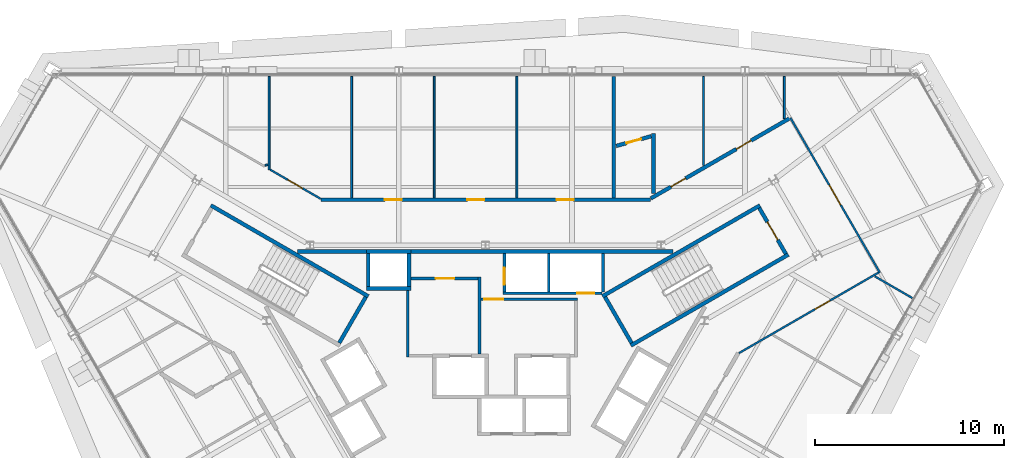
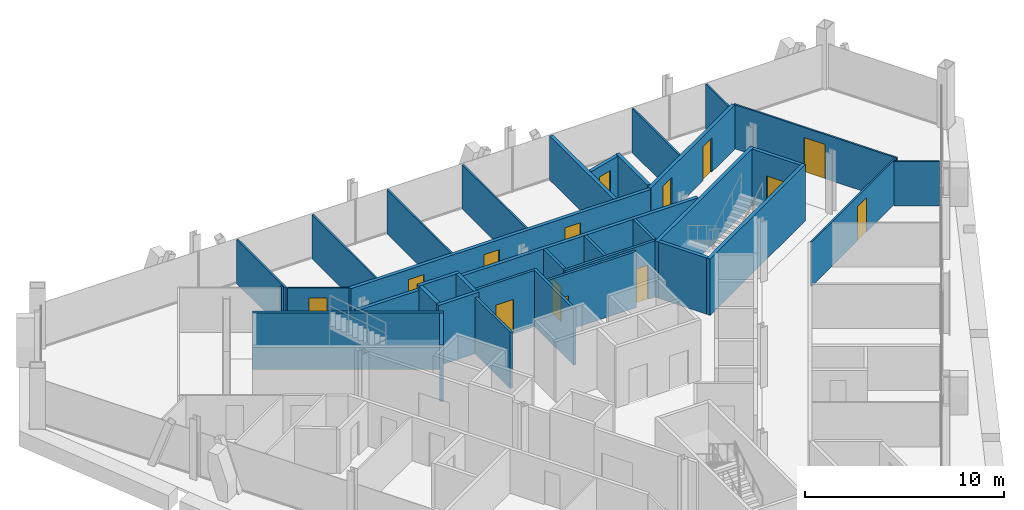
# One storey, part 12 of 15: 36 walls, 14 doors, 14 openings.
"""IFC4 building model written with IfcOpenShell, lengths in metres."""

from ifc_helpers import new_model, si_unit, direction, frame, frame_2d, origin, place, context, subcontext, project, spatial, rectangle, extrude, material, layer, layer_set, type_object, element, fill, save


model = new_model("IFC4")

# Units and contexts
model_context = context("Model", 3, precision=1e-05, world=origin(), true_north=direction((0.0, 1.0)))
body_context = subcontext(model_context, "Body", "Model", "MODEL_VIEW")
ifc_project = project(units=[si_unit("LENGTHUNIT", "METRE"), si_unit("AREAUNIT", "SQUARE_METRE"), si_unit("VOLUMEUNIT", "CUBIC_METRE"), si_unit("PLANEANGLEUNIT", "RADIAN"), si_unit("MASSUNIT", "GRAM", prefix="KILO")], contexts=[model_context])

# Site, building, storey
site_placement = place(None, origin())
site = spatial("IfcSite", under=ifc_project, at=site_placement, CompositionType="ELEMENT")
building_placement = place(site_placement, origin())
building = spatial("IfcBuilding", under=site, at=building_placement, Name="Verrane Prism Tower", CompositionType="ELEMENT")
storey_placement = place(building_placement, frame((0.0, 0.0, 250.800048828125)))
storey = spatial("IfcBuildingStorey", under=building, at=storey_placement, Name="L63", CompositionType="ELEMENT", Elevation=250.800048828125)

# Walls
ifc_material_1 = material(Name="Gypsum board partition", Category="other")
ifc_layer_1 = layer(ifc_material_1, 0.199951171875)
ifc_layer_set_1 = layer_set([ifc_layer_1], Name="CW-200 core boundary wall 2 h")
wall_type_1 = type_object("IfcWallType", Name="CW-200 core boundary wall 2 h", PredefinedType="PARTITIONING", material=ifc_layer_set_1)
wall_1_placement = place(storey_placement, frame((-9.907958984375, 7.659912109375, 0.0), z_axis=(0.0, 0.0, 1.0), x_axis=(1.0, 0.0, 0.0)))
element("IfcWall", 1, at=wall_1_placement, inside=storey, type_object=wall_type_1, Name="Core boundary wall CW3-002", PredefinedType="PARTITIONING", context=body_context, shape_type="SweptSolid", body=[
    extrude(rectangle(XDim=3.620849609375, YDim=0.199951171875, at=frame_2d((1.810546875, 0.0))), origin(), (0.0, 0.0, 1.0), 3.449951171875),
])
wall_2_placement = place(storey_placement, frame((-3.93310546875, 7.659912109375, 0.0), z_axis=(0.0, 0.0, 1.0), x_axis=(1.0, 0.0, 0.0)))
element("IfcWall", 2, at=wall_2_placement, inside=storey, type_object=wall_type_1, Name="Core boundary wall CW3-005", PredefinedType="PARTITIONING", context=body_context, shape_type="SweptSolid", body=[
    extrude(rectangle(XDim=13.841064453125, YDim=0.199951171875, at=frame_2d((6.92041015625, 0.0))), origin(), (0.0, 0.0, 1.0), 3.449951171875),
])

# Wall, opening, door
ifc_material_2 = material(Name="Concrete C40/50", Category="concrete")
ifc_layer_2 = layer(ifc_material_2, 0.199951171875)
ifc_layer_set_2 = layer_set([ifc_layer_2], Name="CW-200 stair core wall concrete C40/50 3 h")
wall_type_2 = type_object("IfcWallType", Name="CW-200 stair core wall concrete C40/50 3 h", PredefinedType="PARTITIONING", material=ifc_layer_set_2)
wall_3_placement = place(storey_placement, frame((15.85546875, 7.53759765625, 0.0), z_axis=(0.0, 0.0, 1.0), x_axis=(-0.500049511043, 0.865996816683, 0.0)))
wall_3 = element("IfcWall", 3, at=wall_3_placement, inside=storey, type_object=wall_type_2, Name="Stair 1 enclosure wall", PredefinedType="PARTITIONING", context=body_context, shape_type="SweptSolid", body=[
    extrude(rectangle(XDim=2.800048828125, YDim=0.199951171875, at=frame_2d((1.39990234375, 0.0))), origin(), (0.0, 0.0, 1.0), 3.449951171875),
])
opening_1_placement = place(wall_3_placement, frame((0.849853515625, 0.0, 0.0)))
opening_1 = element("IfcOpeningElement", 4, at=opening_1_placement, cuts=wall_3, Name="Opening D62500", PredefinedType="OPENING", context=body_context, shape_type="SweptSolid", body=[
    extrude(rectangle(XDim=1.10009765625, YDim=2.10009765625, at=frame_2d((0.550048828125, 1.050048828125))), frame((0.0, 0.10986328125, 0.0), z_axis=(0.0, -1.0, 0.0), x_axis=(1.0, 0.0, 0.0)), (0.0, 0.0, 1.0), 0.219970703125),
])
ifc_material_3 = material(Name="Timber veneered door leaf", Category="wood")
door_type_1 = type_object("IfcDoorType", Name="DR-1100x2100 FD90 single leaf stair", OperationType="NOTDEFINED", PredefinedType="DOOR", material=ifc_material_3)
door_1_placement = place(opening_1_placement, origin())
door_1 = element("IfcDoor", 5, at=door_1_placement, inside=storey, type_object=door_type_1, Name="Stair 1 door", OperationType="SINGLE_SWING_LEFT", OverallHeight=2.10009765625, OverallWidth=1.10009765625, PredefinedType="DOOR", context=body_context, shape_type="SweptSolid", body=[
    extrude(rectangle(XDim=1.10009765625, YDim=2.10009765625, at=frame_2d((0.550048828125, 1.050048828125))), frame((0.0, 0.02490234375, 0.0), z_axis=(0.0, -1.0, 0.0), x_axis=(1.0, 0.0, 0.0)), (0.0, 0.0, 1.0), 0.050048828125),
])
fill(opening_1, door_1)

# Walls
for number, where, z_axis, x_axis, name in (
    (6, (6.17822265625, 5.299072265625, 0.0), (0.0, 0.0, 1.0), (0.866019993635, 0.500009370536, 0.0), "Stair 1 enclosure wall"),
    (7, (7.67822265625, 2.700927734375, 0.0), (0.0, 0.0, 1.0), (0.866019993635, 0.500009370536, 0.0), "Stair 1 enclosure wall"),
):
    element("IfcWall", number, at=place(storey_placement, frame(where, z_axis=z_axis, x_axis=x_axis)), inside=storey, type_object=wall_type_2, Name=name, PredefinedType="PARTITIONING", context=body_context, shape_type="SweptSolid", body=[
        extrude(rectangle(XDim=9.599853515625, YDim=0.199951171875, at=frame_2d((4.7998046875, 0.0))), origin(), (0.0, 0.0, 1.0), 3.449951171875),
    ])
wall_4_placement = place(storey_placement, frame((7.71484375, 2.837646484375, 0.0), z_axis=(0.0, 0.0, 1.0), x_axis=(-0.500049511043, 0.865996816683, 0.0)))
element("IfcWall", 8, at=wall_4_placement, inside=storey, type_object=wall_type_2, Name="Stair 1 enclosure wall", PredefinedType="PARTITIONING", context=body_context, shape_type="SweptSolid", body=[
    extrude(rectangle(XDim=2.800048828125, YDim=0.199951171875, at=frame_2d((1.39990234375, 0.0))), origin(), (0.0, 0.0, 1.0), 3.449951171875),
])
wall_5_placement = place(storey_placement, frame((-6.17822265625, 5.299072265625, 0.0), z_axis=(0.0, 0.0, 1.0), x_axis=(-0.866019993635, 0.500009370536, 0.0)))
element("IfcWall", 9, at=wall_5_placement, inside=storey, type_object=wall_type_2, Name="Stair 2 enclosure wall", PredefinedType="PARTITIONING", context=body_context, shape_type="SweptSolid", body=[
    extrude(rectangle(XDim=9.599853515625, YDim=0.199951171875, at=frame_2d((4.7998046875, 0.0))), origin(), (0.0, 0.0, 1.0), 3.449951171875),
])
wall_6_placement = place(storey_placement, frame((-6.314697265625, 5.262451171875, 0.0), z_axis=(0.0, 0.0, 1.0), x_axis=(-0.500049511043, -0.865996816683, 0.0)))
element("IfcWall", 10, at=wall_6_placement, inside=storey, type_object=wall_type_2, Name="Stair 2 enclosure wall", PredefinedType="PARTITIONING", context=body_context, shape_type="SweptSolid", body=[
    extrude(rectangle(XDim=2.800048828125, YDim=0.199951171875, at=frame_2d((1.39990234375, 0.0))), origin(), (0.0, 0.0, 1.0), 3.449951171875),
])
ifc_material_4 = material(Name="Gypsum board shaft wall assembly", Category="other")
ifc_layer_3 = layer(ifc_material_4, 0.199951171875)
ifc_layer_set_3 = layer_set([ifc_layer_3], Name="HW-200 lift shaft wall 2 h")
wall_type_3 = type_object("IfcWallType", Name="HW-200 lift shaft wall 2 h", PredefinedType="PARTITIONING", material=ifc_layer_set_3)
for number, where, z_axis, x_axis, name in (
    (11, (-6.284912109375, 5.7099609375, 0.0), (0.0, 0.0, 1.0), (1.0, 0.0, 0.0), "Lift shaft wall"),
    (12, (-6.284912109375, 7.659912109375, 0.0), (0.0, 0.0, 1.0), (1.0, 0.0, 0.0), "Lift shaft wall"),
):
    element("IfcWall", number, at=place(storey_placement, frame(where, z_axis=z_axis, x_axis=x_axis)), inside=storey, type_object=wall_type_3, Name=name, PredefinedType="PARTITIONING", context=body_context, shape_type="SweptSolid", body=[
        extrude(rectangle(XDim=2.349853515625, YDim=0.199951171875, at=frame_2d((1.1748046875, 0.0))), origin(), (0.0, 0.0, 1.0), 3.699951171875),
    ])
for number, where, z_axis, x_axis, name in (
    (13, (-4.034912109375, 5.81005859375, 0.0), (0.0, 0.0, 1.0), (0.0, 1.0, 0.0), "Lift shaft wall"),
    (14, (-6.18505859375, 5.81005859375, 0.0), (0.0, 0.0, 1.0), (0.0, 1.0, 0.0), "Lift shaft wall"),
):
    element("IfcWall", number, at=place(storey_placement, frame(where, z_axis=z_axis, x_axis=x_axis)), inside=storey, type_object=wall_type_3, Name=name, PredefinedType="PARTITIONING", context=body_context, shape_type="SweptSolid", body=[
        extrude(rectangle(XDim=1.75, YDim=0.199951171875, at=frame_2d((0.875, 0.0))), origin(), (0.0, 0.0, 1.0), 3.699951171875),
    ])
ifc_material_5 = material(Name="Gypsum board partition", Category="other")
ifc_layer_4 = layer(ifc_material_5, 0.14990234375)
ifc_layer_set_4 = layer_set([ifc_layer_4], Name="LF-150 firefighting lobby wall 1 h")
wall_type_4 = type_object("IfcWallType", Name="LF-150 firefighting lobby wall 1 h", PredefinedType="PARTITIONING", material=ifc_layer_set_4)
wall_7_placement = place(storey_placement, frame((-4.10009765625, 2.0849609375, 0.0), z_axis=(0.0, 0.0, 1.0), x_axis=(0.0, 1.0, 0.0)))
element("IfcWall", 15, at=wall_7_placement, inside=storey, type_object=wall_type_4, Name="Firefighting lobby wall LF1-001", PredefinedType="PARTITIONING", context=body_context, shape_type="SweptSolid", body=[
    extrude(rectangle(XDim=3.52294921875, YDim=0.14990234375, at=frame_2d((1.761474609375, 0.0))), origin(), (0.0, 0.0, 1.0), 3.449951171875),
])

# Wall, opening, door
wall_8_placement = place(storey_placement, frame((-3.93310546875, 6.239990234375, 0.0), z_axis=(0.0, 0.0, 1.0), x_axis=(1.0, 0.0, 0.0)))
wall_8 = element("IfcWall", 16, at=wall_8_placement, inside=storey, type_object=wall_type_4, Name="Firefighting lobby wall LF1-003", PredefinedType="PARTITIONING", context=body_context, shape_type="SweptSolid", body=[
    extrude(rectangle(XDim=3.5380859375, YDim=0.14990234375, at=frame_2d((1.76904296875, 0.0))), origin(), (0.0, 0.0, 1.0), 3.449951171875),
])
opening_2_placement = place(wall_8_placement, frame((1.300048828125, 0.0, 0.0)))
opening_2 = element("IfcOpeningElement", 17, at=opening_2_placement, cuts=wall_8, Name="Opening D62512", PredefinedType="OPENING", context=body_context, shape_type="SweptSolid", body=[
    extrude(rectangle(XDim=1.0, YDim=2.10009765625, at=frame_2d((0.5, 1.050048828125))), frame((0.0, 0.0849609375, 0.0), z_axis=(0.0, -1.0, 0.0), x_axis=(1.0, 0.0, 0.0)), (0.0, 0.0, 1.0), 0.169921875),
])
ifc_material_6 = material(Name="Timber veneered door leaf", Category="wood")
door_type_2 = type_object("IfcDoorType", Name="DR-1000x2100 FD60 single leaf firefighting lobby", OperationType="NOTDEFINED", PredefinedType="DOOR", material=ifc_material_6)
door_2_placement = place(opening_2_placement, origin())
door_2 = element("IfcDoor", 18, at=door_2_placement, inside=storey, type_object=door_type_2, Name="Firefighting lobby door D62512", OperationType="SINGLE_SWING_LEFT", OverallHeight=2.10009765625, OverallWidth=1.0, PredefinedType="DOOR", context=body_context, shape_type="SweptSolid", body=[
    extrude(rectangle(XDim=1.0, YDim=2.10009765625, at=frame_2d((0.5, 1.050048828125))), frame((0.0, 0.02490234375, 0.0), z_axis=(0.0, -1.0, 0.0), x_axis=(1.0, 0.0, 0.0)), (0.0, 0.0, 1.0), 0.050048828125),
])
fill(opening_2, door_2)

# Wall
wall_9_placement = place(storey_placement, frame((-0.320068359375, 2.251953125, 0.0), z_axis=(0.0, 0.0, 1.0), x_axis=(0.0, 1.0, 0.0)))
element("IfcWall", 19, at=wall_9_placement, inside=storey, type_object=wall_type_4, Name="Firefighting lobby wall LF1-004", PredefinedType="PARTITIONING", context=body_context, shape_type="SweptSolid", body=[
    extrude(rectangle(XDim=4.06298828125, YDim=0.14990234375, at=frame_2d((2.031494140625, 0.0))), origin(), (0.0, 0.0, 1.0), 3.449951171875),
])

# Wall, opening, door
wall_10_placement = place(storey_placement, frame((-0.2451171875, 5.139892578125, 0.0), z_axis=(0.0, 0.0, 1.0), x_axis=(1.0, 0.0, 0.0)))
wall_10 = element("IfcWall", 20, at=wall_10_placement, inside=storey, type_object=wall_type_4, Name="Firefighting lobby wall LF1-005", PredefinedType="PARTITIONING", context=body_context, shape_type="SweptSolid", body=[
    extrude(rectangle(XDim=5.110107421875, YDim=0.14990234375, at=frame_2d((2.55517578125, 0.0))), origin(), (0.0, 0.0, 1.0), 3.449951171875),
])
opening_3_placement = place(wall_10_placement, frame((0.175048828125, 0.0, 0.0)))
opening_3 = element("IfcOpeningElement", 21, at=opening_3_placement, cuts=wall_10, Name="Opening D62513", PredefinedType="OPENING", context=body_context, shape_type="SweptSolid", body=[
    extrude(rectangle(XDim=1.0, YDim=2.10009765625, at=frame_2d((0.5, 1.050048828125))), frame((0.0, 0.0849609375, 0.0), z_axis=(0.0, -1.0, 0.0), x_axis=(1.0, 0.0, 0.0)), (0.0, 0.0, 1.0), 0.169921875),
])
door_3_placement = place(opening_3_placement, origin())
door_3 = element("IfcDoor", 22, at=door_3_placement, inside=storey, type_object=door_type_2, Name="Firefighting lobby door D62513", OperationType="SINGLE_SWING_LEFT", OverallHeight=2.10009765625, OverallWidth=1.0, PredefinedType="DOOR", context=body_context, shape_type="SweptSolid", body=[
    extrude(rectangle(XDim=1.0, YDim=2.10009765625, at=frame_2d((0.5, 1.050048828125))), frame((0.0, 0.02490234375, 0.0), z_axis=(0.0, -1.0, 0.0), x_axis=(1.0, 0.0, 0.0)), (0.0, 0.0, 1.0), 0.050048828125),
])
fill(opening_3, door_3)

# Walls
ifc_material_7 = material(Name="Gypsum board partition", Category="other")
ifc_layer_5 = layer(ifc_material_7, 0.10009765625)
ifc_layer_set_5 = layer_set([ifc_layer_5], Name="PW-100 room partition")
wall_type_5 = type_object("IfcWallType", Name="PW-100 room partition", PredefinedType="PARTITIONING", material=ifc_layer_set_5)
wall_11_placement = place(storey_placement, frame((-11.631591796875, 12.202880859375, 0.0), z_axis=(0.0, 0.0, 1.0), x_axis=(0.934710776834, 0.355409290354, 0.0)))
element("IfcWall", 23, at=wall_11_placement, inside=storey, type_object=wall_type_5, Name="Room partition 017", PredefinedType="PARTITIONING", context=body_context, shape_type="SweptSolid", body=[
    extrude(rectangle(XDim=0.156005859375, YDim=0.10009765625, at=frame_2d((0.078125, 0.0))), origin(), (0.0, 0.0, 1.0), 2.712890625),
])
wall_12_placement = place(storey_placement, frame((-11.41796875, 11.967041015625, 0.0), z_axis=(0.0, 0.0, 1.0), x_axis=(0.0, 1.0, 0.0)))
element("IfcWall", 24, at=wall_12_placement, inside=storey, type_object=wall_type_5, Name="Room partition 018", PredefinedType="PARTITIONING", context=body_context, shape_type="SweptSolid", body=[
    extrude(rectangle(XDim=4.93896484375, YDim=0.10009765625, at=frame_2d((2.469482421875, 0.0))), origin(), (0.0, 0.0, 1.0), 2.712890625),
])

# Wall, opening, door
wall_13_placement = place(storey_placement, frame((-11.357421875, 11.98193359375, 0.0), z_axis=(0.0, 0.0, 1.0), x_axis=(0.866039032844, -0.499976393034, 0.0)))
wall_13 = element("IfcWall", 25, at=wall_13_placement, inside=storey, type_object=wall_type_5, Name="Room partition 019", PredefinedType="PARTITIONING", context=body_context, shape_type="SweptSolid", body=[
    extrude(rectangle(XDim=3.079345703125, YDim=0.10009765625, at=frame_2d((1.53955078125, 0.0))), origin(), (0.0, 0.0, 1.0), 2.712890625),
])
opening_4_placement = place(wall_13_placement, frame((1.080078125, 0.0, 0.0)))
opening_4 = element("IfcOpeningElement", 26, at=opening_4_placement, cuts=wall_13, Name="Opening D62016", PredefinedType="OPENING", context=body_context, shape_type="SweptSolid", body=[
    extrude(rectangle(XDim=0.89990234375, YDim=2.10009765625, at=frame_2d((0.449951171875, 1.050048828125))), frame((0.0, 0.06005859375, 0.0), z_axis=(0.0, -1.0, 0.0), x_axis=(1.0, 0.0, 0.0)), (0.0, 0.0, 1.0), 0.1201171875),
])
ifc_material_8 = material(Name="Timber veneered door leaf", Category="wood")
door_type_3 = type_object("IfcDoorType", Name="DR-900x2100 single leaf unit", OperationType="NOTDEFINED", PredefinedType="DOOR", material=ifc_material_8)
door_4_placement = place(opening_4_placement, origin())
door_4 = element("IfcDoor", 27, at=door_4_placement, inside=storey, type_object=door_type_3, Name="Utility Room door", OperationType="SINGLE_SWING_RIGHT", OverallHeight=2.10009765625, OverallWidth=0.89990234375, PredefinedType="DOOR", context=body_context, shape_type="SweptSolid", body=[
    extrude(rectangle(XDim=0.89990234375, YDim=2.10009765625, at=frame_2d((0.449951171875, 1.050048828125))), frame((0.0, 0.02490234375, 0.0), z_axis=(0.0, -1.0, 0.0), x_axis=(1.0, 0.0, 0.0)), (0.0, 0.0, 1.0), 0.050048828125),
])
fill(opening_4, door_4)

# Walls
for number, where, z_axis, x_axis, name in (
    (28, (-7.05908203125, 10.5, 0.0), (0.0, 0.0, 1.0), (0.0, 1.0, 0.0), "Room partition 022"),
    (29, (-2.700927734375, 10.5, 0.0), (0.0, 0.0, 1.0), (0.0, 1.0, 0.0), "Room partition 026"),
    (30, (1.657958984375, 10.5, 0.0), (0.0, 0.0, 1.0), (0.0, 1.0, 0.0), "Room partition 027"),
):
    element("IfcWall", number, at=place(storey_placement, frame(where, z_axis=z_axis, x_axis=x_axis)), inside=storey, type_object=wall_type_5, Name=name, PredefinedType="PARTITIONING", context=body_context, shape_type="SweptSolid", body=[
        extrude(rectangle(XDim=6.406005859375, YDim=0.10009765625, at=frame_2d((3.203125, 0.0))), origin(), (0.0, 0.0, 1.0), 2.712890625),
    ])
wall_14_placement = place(storey_placement, frame((11.512939453125, 12.21533203125, 0.0), z_axis=(0.0, 0.0, 1.0), x_axis=(0.0, 1.0, 0.0)))
element("IfcWall", 31, at=wall_14_placement, inside=storey, type_object=wall_type_5, Name="Room partition 042", PredefinedType="PARTITIONING", context=body_context, shape_type="SweptSolid", body=[
    extrude(rectangle(XDim=4.690673828125, YDim=0.10009765625, at=frame_2d((2.34521484375, 0.0))), origin(), (0.0, 0.0, 1.0), 2.712890625),
])

# Wall, opening, door
wall_15_placement = place(storey_placement, frame((20.755615234375, 6.556884765625, 0.0), z_axis=(0.0, 0.0, 1.0), x_axis=(-0.86606177021, -0.499937006213, 0.0)))
wall_15 = element("IfcWall", 32, at=wall_15_placement, inside=storey, type_object=wall_type_5, Name="Room partition 044", PredefinedType="PARTITIONING", context=body_context, shape_type="SweptSolid", body=[
    extrude(rectangle(XDim=8.50390625, YDim=0.10009765625, at=frame_2d((4.251953125, 0.0))), origin(), (0.0, 0.0, 1.0), 2.712890625),
])
opening_5_placement = place(wall_15_placement, frame((2.97900390625, 0.0, 0.0)))
opening_5 = element("IfcOpeningElement", 33, at=opening_5_placement, cuts=wall_15, Name="Opening D62008", PredefinedType="OPENING", context=body_context, shape_type="SweptSolid", body=[
    extrude(rectangle(XDim=0.89990234375, YDim=2.10009765625, at=frame_2d((0.449951171875, 1.050048828125))), frame((0.0, 0.06005859375, 0.0), z_axis=(0.0, -1.0, 0.0), x_axis=(1.0, 0.0, 0.0)), (0.0, 0.0, 1.0), 0.1201171875),
])
door_5_placement = place(opening_5_placement, origin())
door_5 = element("IfcDoor", 34, at=door_5_placement, inside=storey, type_object=door_type_3, Name="Study door", OperationType="SINGLE_SWING_LEFT", OverallHeight=2.10009765625, OverallWidth=0.89990234375, PredefinedType="DOOR", context=body_context, shape_type="SweptSolid", body=[
    extrude(rectangle(XDim=0.89990234375, YDim=2.10009765625, at=frame_2d((0.449951171875, 1.050048828125))), frame((0.0, 0.02490234375, 0.0), z_axis=(0.0, -1.0, 0.0), x_axis=(1.0, 0.0, 0.0)), (0.0, 0.0, 1.0), 0.050048828125),
])
fill(opening_5, door_5)

# Wall
wall_16_placement = place(storey_placement, frame((15.777099609375, 14.67724609375, 0.0), z_axis=(0.0, 0.0, 1.0), x_axis=(0.0, 1.0, 0.0)))
element("IfcWall", 35, at=wall_16_placement, inside=storey, type_object=wall_type_5, Name="Room partition 046", PredefinedType="PARTITIONING", context=body_context, shape_type="SweptSolid", body=[
    extrude(rectangle(XDim=2.228759765625, YDim=0.10009765625, at=frame_2d((1.1142578125, 0.0))), origin(), (0.0, 0.0, 1.0), 2.712890625),
])

# Wall, opening, door
wall_17_placement = place(storey_placement, frame((16.097900390625, 14.718017578125, 0.0), z_axis=(0.0, 0.0, 1.0), x_axis=(0.50030257167, -0.86585064346, 0.0)))
wall_17 = element("IfcWall", 36, at=wall_17_placement, inside=storey, type_object=wall_type_5, Name="Room partition 047", PredefinedType="PARTITIONING", context=body_context, shape_type="SweptSolid", body=[
    extrude(rectangle(XDim=9.446533203125, YDim=0.10009765625, at=frame_2d((4.72314453125, 0.0))), origin(), (0.0, 0.0, 1.0), 2.712890625),
])
opening_6_placement = place(wall_17_placement, frame((4.10009765625, 0.0, 0.0)))
opening_6 = element("IfcOpeningElement", 37, at=opening_6_placement, cuts=wall_17, Name="Opening D62009", PredefinedType="OPENING", context=body_context, shape_type="SweptSolid", body=[
    extrude(rectangle(XDim=1.199951171875, YDim=2.10009765625, at=frame_2d((0.60009765625, 1.050048828125))), frame((0.0, 0.06005859375, 0.0), z_axis=(0.0, -1.0, 0.0), x_axis=(1.0, 0.0, 0.0)), (0.0, 0.0, 1.0), 0.1201171875),
])
ifc_material_9 = material(Name="Timber veneered door leaf", Category="wood")
door_type_4 = type_object("IfcDoorType", Name="DR-1200x2100 single leaf unit", OperationType="NOTDEFINED", PredefinedType="DOOR", material=ifc_material_9)
door_6_placement = place(opening_6_placement, origin())
door_6 = element("IfcDoor", 38, at=door_6_placement, inside=storey, type_object=door_type_4, Name="Living And Dining Room door", OperationType="SINGLE_SWING_LEFT", OverallHeight=2.10009765625, OverallWidth=1.199951171875, PredefinedType="DOOR", context=body_context, shape_type="SweptSolid", body=[
    extrude(rectangle(XDim=1.199951171875, YDim=2.10009765625, at=frame_2d((0.60009765625, 1.050048828125))), frame((0.0, 0.02490234375, 0.0), z_axis=(0.0, -1.0, 0.0), x_axis=(1.0, 0.0, 0.0)), (0.0, 0.0, 1.0), 0.050048828125),
])
fill(opening_6, door_6)

# Wall
wall_18_placement = place(storey_placement, frame((20.552001953125, 6.352783203125, 0.0), z_axis=(0.0, 0.0, 1.0), x_axis=(0.865865073245, -0.500277597875, 0.0)))
element("IfcWall", 39, at=wall_18_placement, inside=storey, type_object=wall_type_5, Name="Room partition 048", PredefinedType="PARTITIONING", context=body_context, shape_type="SweptSolid", body=[
    extrude(rectangle(XDim=2.283935546875, YDim=0.10009765625, at=frame_2d((1.14208984375, 0.0))), origin(), (0.0, 0.0, 1.0), 2.712890625),
])

# Wall, openings, doors
ifc_material_10 = material(Name="Gypsum board partition", Category="other")
ifc_layer_6 = layer(ifc_material_10, 0.199951171875)
ifc_layer_set_6 = layer_set([ifc_layer_6], Name="PW-200 plumbing wall")
wall_type_6 = type_object("IfcWallType", Name="PW-200 plumbing wall", PredefinedType="PARTITIONING", material=ifc_layer_set_6)
wall_19_placement = place(storey_placement, frame((-8.6669921875, 10.39990234375, 0.0), z_axis=(0.0, 0.0, 1.0), x_axis=(1.0, 0.0, 0.0)))
wall_19 = element("IfcWall", 40, at=wall_19_placement, inside=storey, type_object=wall_type_6, Name="Plumbing wall 021", PredefinedType="PARTITIONING", context=body_context, shape_type="SweptSolid", body=[
    extrude(rectangle(XDim=17.384033203125, YDim=0.199951171875, at=frame_2d((8.69189453125, 0.0))), origin(), (0.0, 0.0, 1.0), 2.712890625),
])
opening_7_placement = place(wall_19_placement, frame((12.425048828125, 0.0, 0.0)))
opening_7 = element("IfcOpeningElement", 41, at=opening_7_placement, cuts=wall_19, Name="Opening D62013", PredefinedType="OPENING", context=body_context, shape_type="SweptSolid", body=[
    extrude(rectangle(XDim=0.89990234375, YDim=2.10009765625, at=frame_2d((0.449951171875, 1.050048828125))), frame((0.0, 0.10986328125, 0.0), z_axis=(0.0, -1.0, 0.0), x_axis=(1.0, 0.0, 0.0)), (0.0, 0.0, 1.0), 0.219970703125),
])
opening_8_placement = place(wall_19_placement, frame((7.716064453125, 0.0, 0.0)))
opening_8 = element("IfcOpeningElement", 42, at=opening_8_placement, cuts=wall_19, Name="Opening D62014", PredefinedType="OPENING", context=body_context, shape_type="SweptSolid", body=[
    extrude(rectangle(XDim=0.89990234375, YDim=2.10009765625, at=frame_2d((0.449951171875, 1.050048828125))), frame((0.0, 0.10986328125, 0.0), z_axis=(0.0, -1.0, 0.0), x_axis=(1.0, 0.0, 0.0)), (0.0, 0.0, 1.0), 0.219970703125),
])
opening_9_placement = place(wall_19_placement, frame((3.35791015625, 0.0, 0.0)))
opening_9 = element("IfcOpeningElement", 43, at=opening_9_placement, cuts=wall_19, Name="Opening D62015", PredefinedType="OPENING", context=body_context, shape_type="SweptSolid", body=[
    extrude(rectangle(XDim=0.89990234375, YDim=2.10009765625, at=frame_2d((0.449951171875, 1.050048828125))), frame((0.0, 0.10986328125, 0.0), z_axis=(0.0, -1.0, 0.0), x_axis=(1.0, 0.0, 0.0)), (0.0, 0.0, 1.0), 0.219970703125),
])
door_7_placement = place(opening_7_placement, origin())
door_7 = element("IfcDoor", 44, at=door_7_placement, inside=storey, type_object=door_type_3, Name="Study door", OperationType="SINGLE_SWING_LEFT", OverallHeight=2.10009765625, OverallWidth=0.89990234375, PredefinedType="DOOR", context=body_context, shape_type="SweptSolid", body=[
    extrude(rectangle(XDim=0.89990234375, YDim=2.10009765625, at=frame_2d((0.449951171875, 1.050048828125))), frame((0.0, 0.02490234375, 0.0), z_axis=(0.0, -1.0, 0.0), x_axis=(1.0, 0.0, 0.0)), (0.0, 0.0, 1.0), 0.050048828125),
])
fill(opening_7, door_7)
door_8_placement = place(opening_8_placement, origin())
door_8 = element("IfcDoor", 45, at=door_8_placement, inside=storey, type_object=door_type_3, Name="Utility Room door", OperationType="SINGLE_SWING_RIGHT", OverallHeight=2.10009765625, OverallWidth=0.89990234375, PredefinedType="DOOR", context=body_context, shape_type="SweptSolid", body=[
    extrude(rectangle(XDim=0.89990234375, YDim=2.10009765625, at=frame_2d((0.449951171875, 1.050048828125))), frame((0.0, 0.02490234375, 0.0), z_axis=(0.0, -1.0, 0.0), x_axis=(1.0, 0.0, 0.0)), (0.0, 0.0, 1.0), 0.050048828125),
])
fill(opening_8, door_8)
door_9_placement = place(opening_9_placement, origin())
door_9 = element("IfcDoor", 46, at=door_9_placement, inside=storey, type_object=door_type_3, Name="Utility Room door", OperationType="SINGLE_SWING_LEFT", OverallHeight=2.10009765625, OverallWidth=0.89990234375, PredefinedType="DOOR", context=body_context, shape_type="SweptSolid", body=[
    extrude(rectangle(XDim=0.89990234375, YDim=2.10009765625, at=frame_2d((0.449951171875, 1.050048828125))), frame((0.0, 0.02490234375, 0.0), z_axis=(0.0, -1.0, 0.0), x_axis=(1.0, 0.0, 0.0)), (0.0, 0.0, 1.0), 0.050048828125),
])
fill(opening_9, door_9)

# Wall
wall_20_placement = place(storey_placement, frame((6.77490234375, 10.5, 0.0), z_axis=(0.0, 0.0, 1.0), x_axis=(0.0, 1.0, 0.0)))
element("IfcWall", 47, at=wall_20_placement, inside=storey, type_object=wall_type_6, Name="Plumbing wall 034", PredefinedType="PARTITIONING", context=body_context, shape_type="SweptSolid", body=[
    extrude(rectangle(XDim=6.406005859375, YDim=0.199951171875, at=frame_2d((3.203125, 0.0))), origin(), (0.0, 0.0, 1.0), 2.712890625),
])

# Wall, opening, door
wall_21_placement = place(storey_placement, frame((8.749755859375, 13.747314453125, 0.0), z_axis=(0.0, 0.0, 1.0), x_axis=(-0.963674591663, -0.267079166884, 0.0)))
wall_21 = element("IfcWall", 48, at=wall_21_placement, inside=storey, type_object=wall_type_6, Name="Plumbing wall 035", PredefinedType="PARTITIONING", context=body_context, shape_type="SweptSolid", body=[
    extrude(rectangle(XDim=1.917724609375, YDim=0.199951171875, at=frame_2d((0.958984375, 0.0))), origin(), (0.0, 0.0, 1.0), 2.712890625),
])
opening_10_placement = place(wall_21_placement, frame((0.549072265625, 0.0, 0.0)))
opening_10 = element("IfcOpeningElement", 49, at=opening_10_placement, cuts=wall_21, Name="Opening D62012", PredefinedType="OPENING", context=body_context, shape_type="SweptSolid", body=[
    extrude(rectangle(XDim=0.800048828125, YDim=2.10009765625, at=frame_2d((0.39990234375, 1.050048828125))), frame((0.0, 0.10986328125, 0.0), z_axis=(0.0, -1.0, 0.0), x_axis=(1.0, 0.0, 0.0)), (0.0, 0.0, 1.0), 0.219970703125),
])
ifc_material_11 = material(Name="Timber veneered door leaf", Category="wood")
door_type_5 = type_object("IfcDoorType", Name="DR-800x2100 single leaf bath", OperationType="NOTDEFINED", PredefinedType="DOOR", material=ifc_material_11)
door_10_placement = place(opening_10_placement, origin())
door_10 = element("IfcDoor", 50, at=door_10_placement, inside=storey, type_object=door_type_5, Name="Bathroom door", OperationType="SINGLE_SWING_LEFT", OverallHeight=2.10009765625, OverallWidth=0.800048828125, PredefinedType="DOOR", context=body_context, shape_type="SweptSolid", body=[
    extrude(rectangle(XDim=0.800048828125, YDim=2.10009765625, at=frame_2d((0.39990234375, 1.050048828125))), frame((0.0, 0.02490234375, 0.0), z_axis=(0.0, -1.0, 0.0), x_axis=(1.0, 0.0, 0.0)), (0.0, 0.0, 1.0), 0.050048828125),
])
fill(opening_10, door_10)

# Wall, openings, doors
wall_22_placement = place(storey_placement, frame((8.73388671875, 10.467529296875, 0.0), z_axis=(0.0, 0.0, 1.0), x_axis=(0.86608074249, 0.499904138298, 0.0)))
wall_22 = element("IfcWall", 51, at=wall_22_placement, inside=storey, type_object=wall_type_6, Name="Plumbing wall 038", PredefinedType="PARTITIONING", context=body_context, shape_type="SweptSolid", body=[
    extrude(rectangle(XDim=8.452880859375, YDim=0.199951171875, at=frame_2d((4.2265625, 0.0))), origin(), (0.0, 0.0, 1.0), 2.712890625),
])
opening_11_placement = place(wall_22_placement, frame((5.208984375, 0.0, 0.0)))
opening_11 = element("IfcOpeningElement", 52, at=opening_11_placement, cuts=wall_22, Name="Opening D62010", PredefinedType="OPENING", context=body_context, shape_type="SweptSolid", body=[
    extrude(rectangle(XDim=0.89990234375, YDim=2.10009765625, at=frame_2d((0.449951171875, 1.050048828125))), frame((0.0, 0.10986328125, 0.0), z_axis=(0.0, -1.0, 0.0), x_axis=(1.0, 0.0, 0.0)), (0.0, 0.0, 1.0), 0.219970703125),
])
opening_12_placement = place(wall_22_placement, frame((1.212890625, 0.0, 0.0)))
opening_12 = element("IfcOpeningElement", 53, at=opening_12_placement, cuts=wall_22, Name="Opening D62011", PredefinedType="OPENING", context=body_context, shape_type="SweptSolid", body=[
    extrude(rectangle(XDim=0.89990234375, YDim=2.10009765625, at=frame_2d((0.449951171875, 1.050048828125))), frame((0.0, 0.10986328125, 0.0), z_axis=(0.0, -1.0, 0.0), x_axis=(1.0, 0.0, 0.0)), (0.0, 0.0, 1.0), 0.219970703125),
])
ifc_material_12 = material(Name="Timber veneered door leaf", Category="wood")
door_type_6 = type_object("IfcDoorType", Name="DR-900x2100 single leaf inner", OperationType="NOTDEFINED", PredefinedType="DOOR", material=ifc_material_12)
door_11_placement = place(opening_12_placement, origin())
door_11 = element("IfcDoor", 54, at=door_11_placement, inside=storey, type_object=door_type_6, Name="Bedroom door", OperationType="SINGLE_SWING_LEFT", OverallHeight=2.10009765625, OverallWidth=0.89990234375, PredefinedType="DOOR", context=body_context, shape_type="SweptSolid", body=[
    extrude(rectangle(XDim=0.89990234375, YDim=2.10009765625, at=frame_2d((0.449951171875, 1.050048828125))), frame((0.0, 0.02490234375, 0.0), z_axis=(0.0, -1.0, 0.0), x_axis=(1.0, 0.0, 0.0)), (0.0, 0.0, 1.0), 0.050048828125),
])
fill(opening_12, door_11)
door_12_placement = place(opening_11_placement, origin())
door_12 = element("IfcDoor", 55, at=door_12_placement, inside=storey, type_object=door_type_3, Name="Kitchen door", OperationType="SINGLE_SWING_RIGHT", OverallHeight=2.10009765625, OverallWidth=0.89990234375, PredefinedType="DOOR", context=body_context, shape_type="SweptSolid", body=[
    extrude(rectangle(XDim=0.89990234375, YDim=2.10009765625, at=frame_2d((0.449951171875, 1.050048828125))), frame((0.0, 0.02490234375, 0.0), z_axis=(0.0, -1.0, 0.0), x_axis=(1.0, 0.0, 0.0)), (0.0, 0.0, 1.0), 0.050048828125),
])
fill(opening_11, door_12)

# Wall
wall_23_placement = place(storey_placement, frame((8.875, 10.72216796875, 0.0), z_axis=(0.0, 0.0, 1.0), x_axis=(0.0, 1.0, 0.0)))
element("IfcWall", 56, at=wall_23_placement, inside=storey, type_object=wall_type_6, Name="Plumbing wall 040", PredefinedType="PARTITIONING", context=body_context, shape_type="SweptSolid", body=[
    extrude(rectangle(XDim=3.159912109375, YDim=0.199951171875, at=frame_2d((1.580078125, 0.0))), origin(), (0.0, 0.0, 1.0), 2.712890625),
])

# Wall, opening, door
ifc_material_13 = material(Name="Gypsum board partition", Category="other")
ifc_layer_7 = layer(ifc_material_13, 0.14990234375)
ifc_layer_set_7 = layer_set([ifc_layer_7], Name="RS-150 riser enclosure wall 1 h")
wall_type_7 = type_object("IfcWallType", Name="RS-150 riser enclosure wall 1 h", PredefinedType="PARTITIONING", material=ifc_layer_set_7)
wall_24_placement = place(storey_placement, frame((1.0, 7.56005859375, 0.0), z_axis=(0.0, 0.0, 1.0), x_axis=(0.0, -1.0, 0.0)))
wall_24 = element("IfcWall", 57, at=wall_24_placement, inside=storey, type_object=wall_type_7, Name="Riser wall RS3-002", PredefinedType="PARTITIONING", context=body_context, shape_type="SweptSolid", body=[
    extrude(rectangle(XDim=2.025146484375, YDim=0.14990234375, at=frame_2d((1.0126953125, 0.0))), origin(), (0.0, 0.0, 1.0), 3.449951171875),
])
opening_13_placement = place(wall_24_placement, frame((0.75, 0.0, 0.0)))
opening_13 = element("IfcOpeningElement", 58, at=opening_13_placement, cuts=wall_24, Name="Opening D62514", PredefinedType="OPENING", context=body_context, shape_type="SweptSolid", body=[
    extrude(rectangle(XDim=0.89990234375, YDim=2.10009765625, at=frame_2d((0.449951171875, 1.050048828125))), frame((0.0, 0.0849609375, 0.0), z_axis=(0.0, -1.0, 0.0), x_axis=(1.0, 0.0, 0.0)), (0.0, 0.0, 1.0), 0.169921875),
])
ifc_material_14 = material(Name="Timber veneered door leaf", Category="wood")
door_type_7 = type_object("IfcDoorType", Name="DR-900x2100 FD60 single leaf riser", OperationType="NOTDEFINED", PredefinedType="DOOR", material=ifc_material_14)
door_13_placement = place(opening_13_placement, origin())
door_13 = element("IfcDoor", 59, at=door_13_placement, inside=storey, type_object=door_type_7, Name="Riser door D62514", OperationType="SINGLE_SWING_RIGHT", OverallHeight=2.10009765625, OverallWidth=0.89990234375, PredefinedType="DOOR", context=body_context, shape_type="SweptSolid", body=[
    extrude(rectangle(XDim=0.89990234375, YDim=2.10009765625, at=frame_2d((0.449951171875, 1.050048828125))), frame((0.0, 0.02490234375, 0.0), z_axis=(0.0, -1.0, 0.0), x_axis=(1.0, 0.0, 0.0)), (0.0, 0.0, 1.0), 0.050048828125),
])
fill(opening_13, door_13)

wall_25_placement = place(storey_placement, frame((0.925048828125, 5.4599609375, 0.0), z_axis=(0.0, 0.0, 1.0), x_axis=(1.0, 0.0, 0.0)))
wall_25 = element("IfcWall", 60, at=wall_25_placement, inside=storey, type_object=wall_type_7, Name="Riser wall RS3-003", PredefinedType="PARTITIONING", context=body_context, shape_type="SweptSolid", body=[
    extrude(rectangle(XDim=5.219970703125, YDim=0.14990234375, at=frame_2d((2.60986328125, 0.0))), origin(), (0.0, 0.0, 1.0), 3.449951171875),
])
opening_14_placement = place(wall_25_placement, frame((3.9150390625, 0.0, 0.0)))
opening_14 = element("IfcOpeningElement", 61, at=opening_14_placement, cuts=wall_25, Name="Opening D62515", PredefinedType="OPENING", context=body_context, shape_type="SweptSolid", body=[
    extrude(rectangle(XDim=0.89990234375, YDim=2.10009765625, at=frame_2d((0.449951171875, 1.050048828125))), frame((0.0, 0.0849609375, 0.0), z_axis=(0.0, -1.0, 0.0), x_axis=(1.0, 0.0, 0.0)), (0.0, 0.0, 1.0), 0.169921875),
])
door_14_placement = place(opening_14_placement, origin())
door_14 = element("IfcDoor", 62, at=door_14_placement, inside=storey, type_object=door_type_7, Name="Riser door D62515", OperationType="SINGLE_SWING_RIGHT", OverallHeight=2.10009765625, OverallWidth=0.89990234375, PredefinedType="DOOR", context=body_context, shape_type="SweptSolid", body=[
    extrude(rectangle(XDim=0.89990234375, YDim=2.10009765625, at=frame_2d((0.449951171875, 1.050048828125))), frame((0.0, 0.02490234375, 0.0), z_axis=(0.0, -1.0, 0.0), x_axis=(1.0, 0.0, 0.0)), (0.0, 0.0, 1.0), 0.050048828125),
])
fill(opening_14, door_14)

# Walls
for number, where, z_axis, x_axis, name in (
    (63, (3.340087890625, 5.534912109375, 0.0), (0.0, 0.0, 1.0), (0.0, 1.0, 0.0), "Riser wall RS3-005"),
    (64, (6.199951171875, 5.534912109375, 0.0), (0.0, 0.0, 1.0), (0.0, 1.0, 0.0), "Riser wall RS3-006"),
):
    element("IfcWall", number, at=place(storey_placement, frame(where, z_axis=z_axis, x_axis=x_axis)), inside=storey, type_object=wall_type_7, Name=name, PredefinedType="PARTITIONING", context=body_context, shape_type="SweptSolid", body=[
        extrude(rectangle(XDim=2.025146484375, YDim=0.14990234375, at=frame_2d((1.0126953125, 0.0))), origin(), (0.0, 0.0, 1.0), 3.449951171875),
    ])

save(model, "model.ifc")
